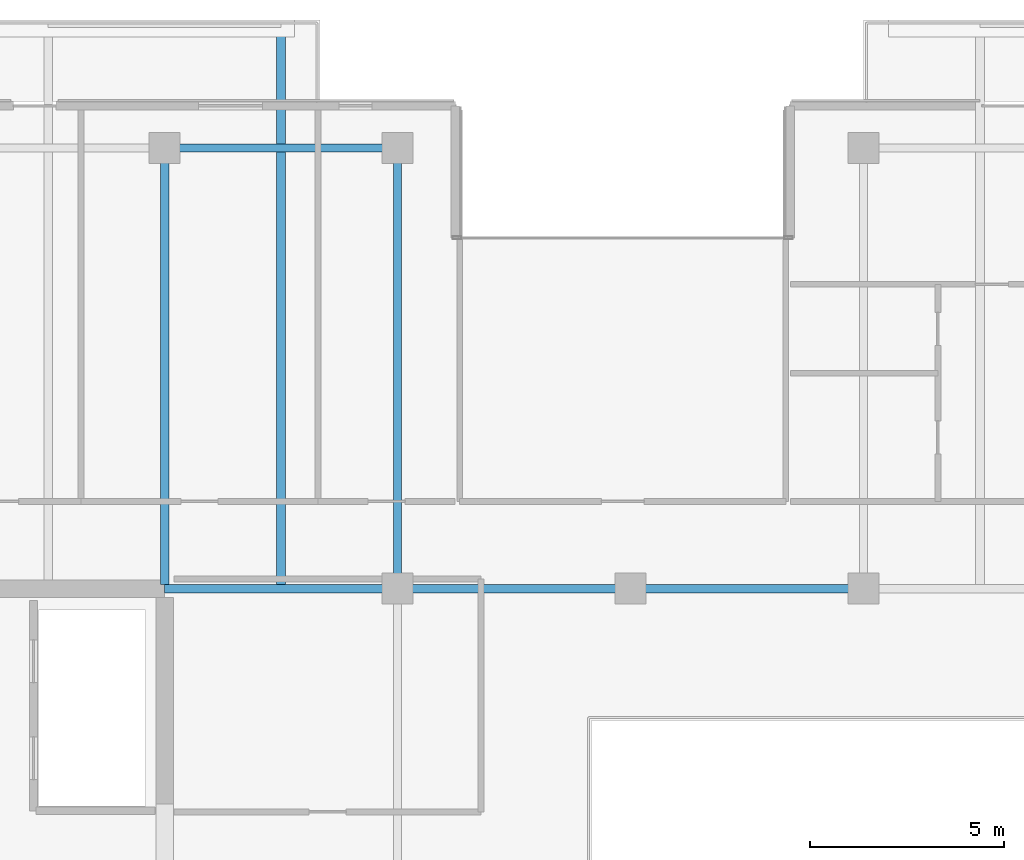
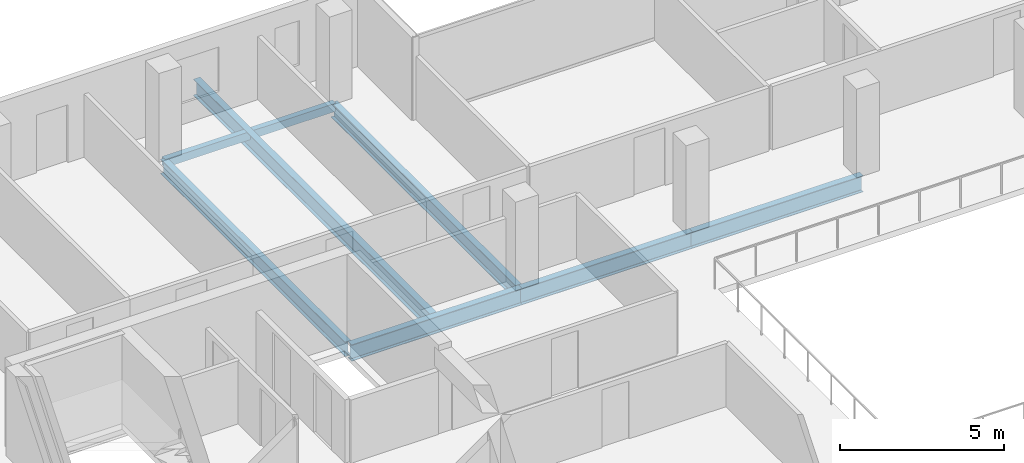
# One storey, part 9 of 29: 7 beams.
"""IFC4 building model written with IfcOpenShell, lengths in metres."""

from ifc_helpers import new_model, si_unit, direction, frame, origin, origin_2d, place, context, subcontext, project, spatial, hollow_rectangle, i_section, extrude, material, material_profile, profile_set, type_object, element, save


model = new_model("IFC4")

# Units and contexts
model_context = context("Model", 3, precision=1e-05, world=origin(), true_north=direction((0.0, 1.0)))
body_context = subcontext(model_context, "Body", "Model", "MODEL_VIEW")
ifc_project = project(units=[si_unit("LENGTHUNIT", "METRE"), si_unit("AREAUNIT", "SQUARE_METRE"), si_unit("VOLUMEUNIT", "CUBIC_METRE"), si_unit("PLANEANGLEUNIT", "RADIAN"), si_unit("MASSUNIT", "GRAM", prefix="KILO")], contexts=[model_context])

# Site, building, storey
site_placement = place(None, origin())
site = spatial("IfcSite", under=ifc_project, at=site_placement, CompositionType="ELEMENT")
building_placement = place(site_placement, origin())
building = spatial("IfcBuilding", under=site, at=building_placement, Name="Tanjung Sevakor Pilgrim Tower", CompositionType="ELEMENT")
storey_placement = place(building_placement, frame((0.0, 0.0, 181.830078125)))
storey = spatial("IfcBuildingStorey", under=building, at=storey_placement, Name="L50", CompositionType="ELEMENT", Elevation=181.830078125)

# Beams
ifc_material_1 = material(Name="Steel S355J2", Category="steel")
ifc_material_profile_1 = material_profile(ifc_material_1, i_section(OverallWidth=0.22900390625, OverallDepth=0.6123046875, WebThickness=0.011962890625, FlangeThickness=0.01953125, FilletRadius=0.0126953125, at=origin_2d()))
ifc_profile_set_1 = profile_set([ifc_material_profile_1], Name="Steel S355J2")
beam_type_1 = type_object("IfcBeamType", Name="BM-B-G4-UB_610x229x125", PredefinedType="BEAM", material=ifc_profile_set_1)
for number, where, z_axis, x_axis, name in (
    (1, (36.0, 42.60009765625, -0.526123046875), (1.0, 0.0, 0.0), (0.0, 1.0, 0.0), "L50 Primary Floor Girder MAIN Y426-02"),
    (2, (42.0, 42.60009765625, -0.526123046875), (1.0, 0.0, 0.0), (0.0, 1.0, 0.0), "L50 Primary Floor Girder MAIN Y426-03"),
    (3, (48.0, 42.60009765625, -0.526123046875), (1.0, 0.0, 0.0), (0.0, 1.0, 0.0), "L50 Primary Floor Girder MAIN Y426-04"),
):
    element("IfcBeam", number, at=place(storey_placement, frame(where, z_axis=z_axis, x_axis=x_axis)), inside=storey, type_object=beam_type_1, Name=name, PredefinedType="BEAM", context=body_context, shape_type="SweptSolid", body=[
        extrude(i_section(OverallWidth=0.22900390625, OverallDepth=0.6123046875, WebThickness=0.011962890625, FlangeThickness=0.01953125, FilletRadius=0.0126953125, at=origin_2d()), origin(), (0.0, 0.0, 1.0), 6.0),
    ])
beam_1_placement = place(storey_placement, frame((39.0, 42.714599609375, -0.526123046875), z_axis=(0.0, 1.0, 0.0), x_axis=(-1.0, 0.0, 0.0)))
element("IfcBeam", 4, at=beam_1_placement, inside=storey, type_object=beam_type_1, Name="L50 Balcony Cantilever Beam MAIN-N1-2", PredefinedType="BEAM", context=body_context, shape_type="SweptSolid", body=[
    extrude(i_section(OverallWidth=0.22900390625, OverallDepth=0.6123046875, WebThickness=0.011962890625, FlangeThickness=0.01953125, FilletRadius=0.0126953125, at=origin_2d()), origin(), (0.0, 0.0, 1.0), 14.415283203125),
])
ifc_material_2 = material(Name="Steel S355J2", Category="steel")
ifc_material_profile_2 = material_profile(ifc_material_2, i_section(OverallWidth=0.2119140625, OverallDepth=0.54443359375, WebThickness=0.0126953125, FlangeThickness=0.021240234375, FilletRadius=0.0126953125, at=origin_2d()))
ifc_profile_set_2 = profile_set([ifc_material_profile_2], Name="Steel S355J2")
beam_type_2 = type_object("IfcBeamType", Name="BM-B-G5-UB_533x210x122", PredefinedType="BEAM", material=ifc_profile_set_2)
beam_2_placement = place(storey_placement, frame((36.0, 42.714599609375, -0.492431640625), z_axis=(0.0, 1.0, 0.0), x_axis=(-1.0, 0.0, 0.0)))
element("IfcBeam", 5, at=beam_2_placement, inside=storey, type_object=beam_type_2, Name="L50 MAIN Girder 004", PredefinedType="BEAM", context=body_context, shape_type="SweptSolid", body=[
    extrude(i_section(OverallWidth=0.2119140625, OverallDepth=0.54443359375, WebThickness=0.0126953125, FlangeThickness=0.021240234375, FilletRadius=0.0126953125, at=origin_2d()), origin(), (0.0, 0.0, 1.0), 11.2353515625),
])
beam_3_placement = place(storey_placement, frame((42.0, 42.60009765625, -0.492431640625), z_axis=(0.0, 1.0, 0.0), x_axis=(-1.0, 0.0, 0.0)))
element("IfcBeam", 6, at=beam_3_placement, inside=storey, type_object=beam_type_2, Name="L50 MAIN Girder 007", PredefinedType="BEAM", context=body_context, shape_type="SweptSolid", body=[
    extrude(i_section(OverallWidth=0.2119140625, OverallDepth=0.54443359375, WebThickness=0.0126953125, FlangeThickness=0.021240234375, FilletRadius=0.0126953125, at=origin_2d()), origin(), (0.0, 0.0, 1.0), 11.349853515625),
])
ifc_material_3 = material(Name="Steel S355J2", Category="steel")
ifc_material_profile_3 = material_profile(ifc_material_3, hollow_rectangle(XDim=0.199951171875, YDim=0.300048828125, WallThickness=0.012451171875, at=origin_2d()))
ifc_profile_set_3 = profile_set([ifc_material_profile_3], Name="Steel S355J2")
beam_type_3 = type_object("IfcBeamType", Name="BM-B-SP3-RHS_300x200x12.5", PredefinedType="SPANDREL", material=ifc_profile_set_3)
beam_4_placement = place(storey_placement, frame((36.0, 53.949951171875, -0.3701171875), z_axis=(1.0, 0.0, 0.0), x_axis=(0.0, 1.0, 0.0)))
element("IfcBeam", 7, at=beam_4_placement, inside=storey, type_object=beam_type_3, Name="L50 Spandrel MAIN N-04", PredefinedType="SPANDREL", context=body_context, shape_type="SweptSolid", body=[
    extrude(hollow_rectangle(XDim=0.199951171875, YDim=0.300048828125, WallThickness=0.012451171875, at=origin_2d()), origin(), (0.0, 0.0, 1.0), 6.0),
])

save(model, "model.ifc")
